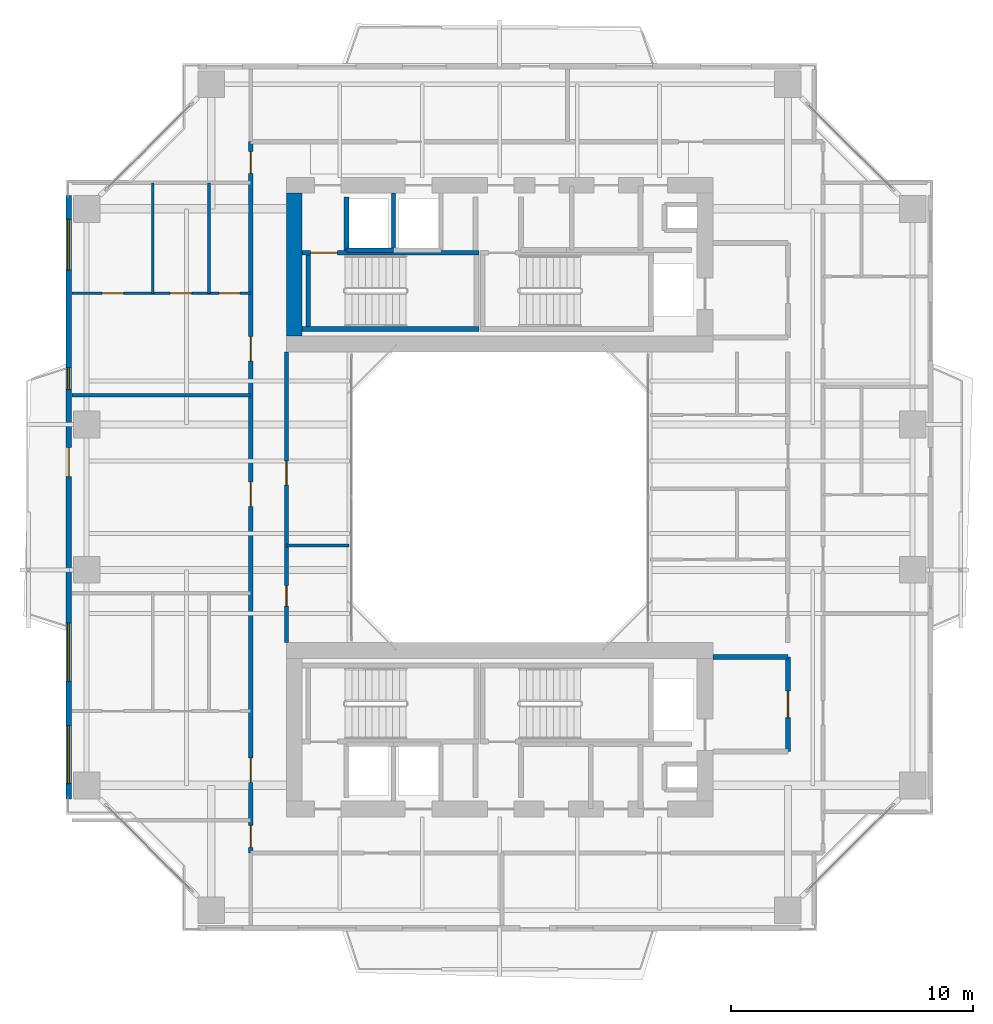
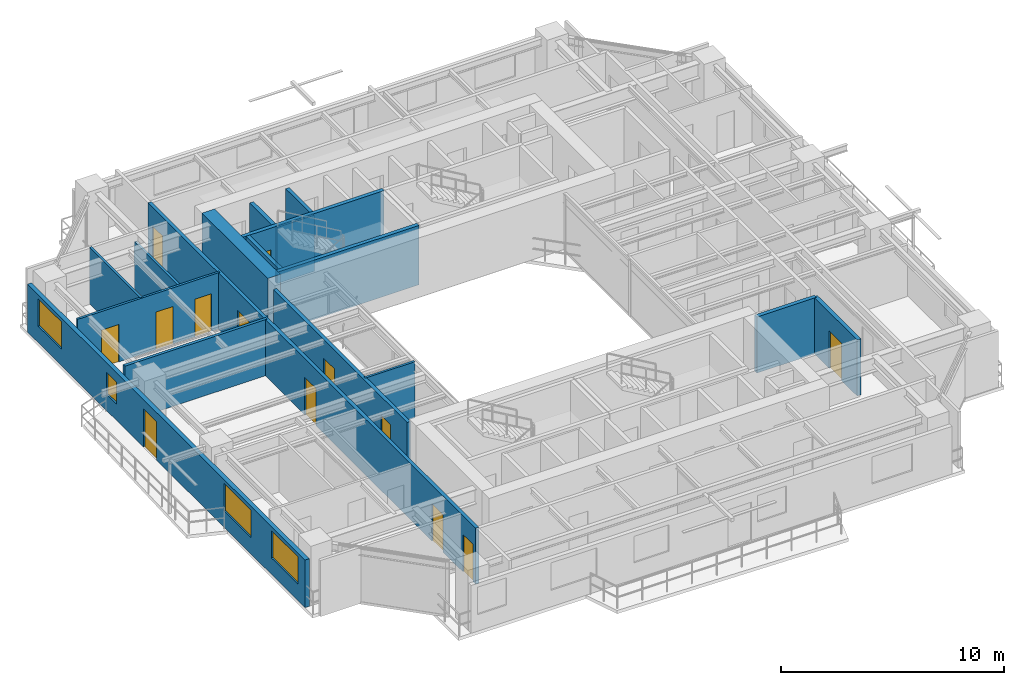
# One storey, part 11 of 17: 17 walls, 13 doors, 4 windows, 17 openings.
"""IFC4 building model written with IfcOpenShell, lengths in metres."""

from ifc_helpers import new_model, si_unit, direction, frame, frame_2d, origin, place, context, subcontext, project, spatial, rectangle, extrude, source, transform, mapped, material, layer, layer_set, type_object, element, fill, save


model = new_model("IFC4")

# Units and contexts
model_context = context("Model", 3, precision=1e-05, world=origin(), true_north=direction((0.0, 1.0)))
body_context = subcontext(model_context, "Body", "Model", "MODEL_VIEW")
ifc_project = project(units=[si_unit("LENGTHUNIT", "METRE"), si_unit("AREAUNIT", "SQUARE_METRE"), si_unit("VOLUMEUNIT", "CUBIC_METRE"), si_unit("PLANEANGLEUNIT", "RADIAN"), si_unit("MASSUNIT", "GRAM", prefix="KILO"), si_unit("THERMODYNAMICTEMPERATUREUNIT", "KELVIN"), si_unit("POWERUNIT", "WATT")], contexts=[model_context])

# Site, building, storey
site_placement = place(None, origin())
site = spatial("IfcSite", under=ifc_project, at=site_placement, CompositionType="ELEMENT")
building_placement = place(site_placement, origin())
building = spatial("IfcBuilding", under=site, at=building_placement, Name="Qiaomeng Ring Towers", CompositionType="ELEMENT")
storey_placement = place(building_placement, frame((0.0, 0.0, 129.5)))
storey = spatial("IfcBuildingStorey", under=building, at=storey_placement, Name="L37", CompositionType="ELEMENT", Elevation=129.5)

# Wall, openings, windows, door
ifc_material_1 = material(Name="Precast concrete C40", Category="concrete")
ifc_layer_1 = layer(ifc_material_1, 0.219970703125, Name="Precast concrete C40")
ifc_layer_set_1 = layer_set([ifc_layer_1], Name="Precast concrete C40")
wall_type_1 = type_object("IfcWallType", Name="ARC-WL-EW2", PredefinedType="STANDARD", material=ifc_layer_set_1)
wall_1_placement = place(storey_placement, frame((1.2099609375, 10.550048828125, 0.0), z_axis=(0.0, 0.0, 1.0), x_axis=(0.0, 1.0, 0.0)))
wall_1 = element("IfcWall", 1, at=wall_1_placement, inside=storey, type_object=wall_type_1, Name="L37 Tower 1 W Exterior Wall", PredefinedType="STANDARD", context=body_context, shape_type="SweptSolid", body=[
    extrude(rectangle(XDim=24.89990234375, YDim=0.219970703125, at=frame_2d((12.449951171875, 0.0))), origin(), (0.0, 0.0, 1.0), 2.610107421875),
])
opening_1_placement = place(wall_1_placement, frame((13.300048828125, 0.0, 0.0)))
opening_1 = element("IfcOpeningElement", 2, at=opening_1_placement, cuts=wall_1, Name="Opening BD1", PredefinedType="OPENING", context=body_context, shape_type="SweptSolid", body=[
    extrude(rectangle(XDim=1.199951171875, YDim=2.10009765625, at=frame_2d((0.60009765625, 1.050048828125))), frame((0.0, 0.119873046875, 0.0), z_axis=(0.0, -1.0, 0.0), x_axis=(1.0, 0.0, 0.0)), (0.0, 0.0, 1.0), 0.239990234375),
])
opening_2_placement = place(wall_1_placement, frame((0.625, 0.0, 0.89990234375)))
opening_2 = element("IfcOpeningElement", 3, at=opening_2_placement, cuts=wall_1, Name="Opening WN6", PredefinedType="OPENING", context=body_context, shape_type="SweptSolid", body=[
    extrude(rectangle(XDim=2.39990234375, YDim=1.5, at=frame_2d((1.199951171875, 0.75))), frame((0.0, 0.119873046875, 0.0), z_axis=(0.0, -1.0, 0.0), x_axis=(1.0, 0.0, 0.0)), (0.0, 0.0, 1.0), 0.239990234375),
])
opening_3_placement = place(wall_1_placement, frame((21.820068359375, 0.0, 0.89990234375)))
opening_3 = element("IfcOpeningElement", 4, at=opening_3_placement, cuts=wall_1, Name="Opening WN4", PredefinedType="OPENING", context=body_context, shape_type="SweptSolid", body=[
    extrude(rectangle(XDim=2.10009765625, YDim=1.5, at=frame_2d((1.050048828125, 0.75))), frame((0.0, 0.119873046875, 0.0), z_axis=(0.0, -1.0, 0.0), x_axis=(1.0, 0.0, 0.0)), (0.0, 0.0, 1.0), 0.239990234375),
])
opening_4_placement = place(wall_1_placement, frame((4.847412109375, 0.0, 0.89990234375)))
opening_4 = element("IfcOpeningElement", 5, at=opening_4_placement, cuts=wall_1, Name="Opening WN6", PredefinedType="OPENING", context=body_context, shape_type="SweptSolid", body=[
    extrude(rectangle(XDim=2.39990234375, YDim=1.5, at=frame_2d((1.199951171875, 0.75))), frame((0.0, 0.119873046875, 0.0), z_axis=(0.0, -1.0, 0.0), x_axis=(1.0, 0.0, 0.0)), (0.0, 0.0, 1.0), 0.239990234375),
])
opening_5_placement = place(wall_1_placement, frame((16.89501953125, 0.0, 0.89990234375)))
opening_5 = element("IfcOpeningElement", 6, at=opening_5_placement, cuts=wall_1, Name="Opening WN5", PredefinedType="OPENING", context=body_context, shape_type="SweptSolid", body=[
    extrude(rectangle(XDim=0.89990234375, YDim=1.199951171875, at=frame_2d((0.449951171875, 0.60009765625))), frame((0.0, 0.119873046875, 0.0), z_axis=(0.0, -1.0, 0.0), x_axis=(1.0, 0.0, 0.0)), (0.0, 0.0, 1.0), 0.239990234375),
])
ifc_material_2 = material(Name="Low-E dark-grey laminated double glazing", Category="glass")
window_type_1 = type_object("IfcWindowType", Name="ARC-WN-4", PartitioningType="TRIPLE_PANEL_VERTICAL", PredefinedType="WINDOW", material=ifc_material_2)
shared_shape_1 = source(origin(), body_context, "Body", "SweptSolid", [
    extrude(rectangle(XDim=2.10009765625, YDim=1.5, at=frame_2d((1.050048828125, 0.75))), frame((0.0, 0.030029296875, 0.0), z_axis=(0.0, -1.0, 0.0), x_axis=(1.0, 0.0, 0.0)), (0.0, 0.0, 1.0), 0.06005859375),
])
window_1_placement = place(opening_3_placement, origin())
window_1 = element("IfcWindow", 7, at=window_1_placement, inside=storey, type_object=window_type_1, Name="L37 Exterior Window WN4", OverallHeight=1.5, OverallWidth=2.10009765625, PartitioningType="TRIPLE_PANEL_VERTICAL", PredefinedType="WINDOW", context=body_context, shape_type="MappedRepresentation", body=[
    mapped(shared_shape_1, transform((0.0, 0.0, 0.0), x_axis=(1.0, 0.0, 0.0), y_axis=(0.0, 1.0, 0.0), z_axis=(0.0, 0.0, 1.0), scale=1.0)),
])
fill(opening_3, window_1)
door_type_1 = type_object("IfcDoorType", Name="ARC-DR-BD1", OperationType="NOTDEFINED", PredefinedType="DOOR", material=ifc_material_2)
shared_shape_2 = source(origin(), body_context, "Body", "SweptSolid", [
    extrude(rectangle(XDim=1.199951171875, YDim=2.10009765625, at=frame_2d((0.60009765625, 1.050048828125))), frame((0.0, 0.02490234375, 0.0), z_axis=(0.0, -1.0, 0.0), x_axis=(1.0, 0.0, 0.0)), (0.0, 0.0, 1.0), 0.050048828125),
])
door_1_placement = place(opening_1_placement, frame((1.199951171875, 0.0, 0.0), z_axis=(0.0, 0.0, 1.0), x_axis=(-1.0, 0.0, 0.0)))
door_1 = element("IfcDoor", 8, at=door_1_placement, inside=storey, type_object=door_type_1, Name="L37 W Balcony Glazed Door", OperationType="SINGLE_SWING_LEFT", OverallHeight=2.10009765625, OverallWidth=1.199951171875, PredefinedType="DOOR", context=body_context, shape_type="MappedRepresentation", body=[
    mapped(shared_shape_2, transform((0.0, 0.0, 0.0), x_axis=(1.0, 0.0, 0.0), y_axis=(0.0, 1.0, 0.0), z_axis=(0.0, 0.0, 1.0), scale=1.0)),
])
fill(opening_1, door_1)
window_type_2 = type_object("IfcWindowType", Name="ARC-WN-6", PartitioningType="TRIPLE_PANEL_VERTICAL", PredefinedType="WINDOW", material=ifc_material_2)
shared_shape_3 = source(origin(), body_context, "Body", "SweptSolid", [
    extrude(rectangle(XDim=2.39990234375, YDim=1.5, at=frame_2d((1.199951171875, 0.75))), frame((0.0, 0.030029296875, 0.0), z_axis=(0.0, -1.0, 0.0), x_axis=(1.0, 0.0, 0.0)), (0.0, 0.0, 1.0), 0.06005859375),
])
window_2_placement = place(opening_2_placement, origin())
window_2 = element("IfcWindow", 9, at=window_2_placement, inside=storey, type_object=window_type_2, Name="L37 Exterior Window WN6", OverallHeight=1.5, OverallWidth=2.39990234375, PartitioningType="TRIPLE_PANEL_VERTICAL", PredefinedType="WINDOW", context=body_context, shape_type="MappedRepresentation", body=[
    mapped(shared_shape_3, transform((0.0, 0.0, 0.0), x_axis=(1.0, 0.0, 0.0), y_axis=(0.0, 1.0, 0.0), z_axis=(0.0, 0.0, 1.0), scale=1.0)),
])
fill(opening_2, window_2)
window_3_placement = place(opening_4_placement, origin())
window_3 = element("IfcWindow", 10, at=window_3_placement, inside=storey, type_object=window_type_2, Name="L37 Exterior Window WN6", OverallHeight=1.5, OverallWidth=2.39990234375, PartitioningType="TRIPLE_PANEL_VERTICAL", PredefinedType="WINDOW", context=body_context, shape_type="MappedRepresentation", body=[
    mapped(shared_shape_3, transform((0.0, 0.0, 0.0), x_axis=(1.0, 0.0, 0.0), y_axis=(0.0, 1.0, 0.0), z_axis=(0.0, 0.0, 1.0), scale=1.0)),
])
fill(opening_4, window_3)
window_type_3 = type_object("IfcWindowType", Name="ARC-WN-5", PartitioningType="SINGLE_PANEL", PredefinedType="WINDOW", material=ifc_material_2)
shared_shape_4 = source(origin(), body_context, "Body", "SweptSolid", [
    extrude(rectangle(XDim=0.89990234375, YDim=1.199951171875, at=frame_2d((0.449951171875, 0.60009765625))), frame((0.0, 0.030029296875, 0.0), z_axis=(0.0, -1.0, 0.0), x_axis=(1.0, 0.0, 0.0)), (0.0, 0.0, 1.0), 0.06005859375),
])
window_4_placement = place(opening_5_placement, origin())
window_4 = element("IfcWindow", 11, at=window_4_placement, inside=storey, type_object=window_type_3, Name="L37 Exterior Window WN5", OverallHeight=1.199951171875, OverallWidth=0.89990234375, PartitioningType="SINGLE_PANEL", PredefinedType="WINDOW", context=body_context, shape_type="MappedRepresentation", body=[
    mapped(shared_shape_4, transform((0.0, 0.0, 0.0), x_axis=(1.0, 0.0, 0.0), y_axis=(0.0, 1.0, 0.0), z_axis=(0.0, 0.0, 1.0), scale=1.0)),
])
fill(opening_5, window_4)

# Wall
ifc_material_3 = material(Name="Autoclaved aerated concrete block", Category="concrete")
ifc_layer_2 = layer(ifc_material_3, 0.199951171875, Name="Autoclaved aerated concrete block")
ifc_layer_set_2 = layer_set([ifc_layer_2], Name="Autoclaved aerated concrete block")
wall_type_2 = type_object("IfcWallType", Name="ARC-WL-PW1", PredefinedType="PARTITIONING", material=ifc_layer_set_2)
wall_2_placement = place(storey_placement, frame((27.800048828125, 16.39990234375, 0.0), z_axis=(0.0, 0.0, 1.0), x_axis=(1.0, 0.0, 0.0)))
element("IfcWall", 12, at=wall_2_placement, inside=storey, type_object=wall_type_2, Name="L37 Interior Wall PW1", PredefinedType="PARTITIONING", context=body_context, shape_type="SweptSolid", body=[
    extrude(rectangle(XDim=3.099853515625, YDim=0.199951171875, at=frame_2d((1.5498046875, 0.0))), origin(), (0.0, 0.0, 1.0), 3.070068359375),
])

# Wall, opening, door
wall_3_placement = place(storey_placement, frame((30.89990234375, 12.5, 0.0), z_axis=(0.0, 0.0, 1.0), x_axis=(0.0, 1.0, 0.0)))
wall_3 = element("IfcWall", 13, at=wall_3_placement, inside=storey, type_object=wall_type_2, Name="L37 Interior Wall PW1", PredefinedType="PARTITIONING", context=body_context, shape_type="SweptSolid", body=[
    extrude(rectangle(XDim=3.89990234375, YDim=0.199951171875, at=frame_2d((1.949951171875, 0.0))), origin(), (0.0, 0.0, 1.0), 3.070068359375),
])
opening_6_placement = place(wall_3_placement, frame((1.39990234375, 0.0, 0.0)))
opening_6 = element("IfcOpeningElement", 14, at=opening_6_placement, cuts=wall_3, Name="Opening FD3", PredefinedType="OPENING", context=body_context, shape_type="SweptSolid", body=[
    extrude(rectangle(XDim=1.10009765625, YDim=2.050048828125, at=frame_2d((0.550048828125, 1.02490234375))), frame((0.0, 0.10986328125, 0.0), z_axis=(0.0, -1.0, 0.0), x_axis=(1.0, 0.0, 0.0)), (0.0, 0.0, 1.0), 0.219970703125),
])
ifc_material_4 = material(Name="Galvanised steel", Category="steel")
door_type_2 = type_object("IfcDoorType", Name="ARC-DR-FD3", OperationType="NOTDEFINED", PredefinedType="DOOR", material=ifc_material_4)
shared_shape_5 = source(origin(), body_context, "Body", "SweptSolid", [
    extrude(rectangle(XDim=1.10009765625, YDim=2.050048828125, at=frame_2d((0.550048828125, 1.02490234375))), frame((0.0, 0.02490234375, 0.0), z_axis=(0.0, -1.0, 0.0), x_axis=(1.0, 0.0, 0.0)), (0.0, 0.0, 1.0), 0.050048828125),
])
door_2_placement = place(opening_6_placement, origin())
door_2 = element("IfcDoor", 15, at=door_2_placement, inside=storey, type_object=door_type_2, Name="L37 South FF Lobby Door", OperationType="SINGLE_SWING_RIGHT", OverallHeight=2.050048828125, OverallWidth=1.10009765625, PredefinedType="DOOR", context=body_context, shape_type="MappedRepresentation", body=[
    mapped(shared_shape_5, transform((0.0, 0.0, 0.0), x_axis=(1.0, 0.0, 0.0), y_axis=(0.0, 1.0, 0.0), z_axis=(0.0, 0.0, 1.0), scale=1.0)),
])
fill(opening_6, door_2)

# Wall
wall_4_placement = place(storey_placement, frame((12.679931640625, 33.18994140625, 0.0), z_axis=(0.0, 0.0, 1.0), x_axis=(0.0, 1.0, 0.0)))
element("IfcWall", 16, at=wall_4_placement, inside=storey, type_object=wall_type_2, Name="L37 Interior Wall PW1", PredefinedType="PARTITIONING", context=body_context, shape_type="SweptSolid", body=[
    extrude(rectangle(XDim=2.2099609375, YDim=0.199951171875, at=frame_2d((1.10498046875, 0.0))), origin(), (0.0, 0.0, 1.0), 3.070068359375),
])

# Wall, openings, doors
ifc_layer_3 = layer(ifc_material_3, 0.179931640625, Name="Autoclaved aerated concrete block")
ifc_layer_set_3 = layer_set([ifc_layer_3], Name="Autoclaved aerated concrete block")
wall_type_3 = type_object("IfcWallType", Name="ARC-WL-PW2", PredefinedType="PARTITIONING", material=ifc_layer_set_3)
wall_5_placement = place(storey_placement, frame((8.719970703125, 8.31005859375, 0.0), z_axis=(0.0, 0.0, 1.0), x_axis=(0.0, 1.0, 0.0)))
wall_5 = element("IfcWall", 17, at=wall_5_placement, inside=storey, type_object=wall_type_3, Name="L37 Interior Wall PW2", PredefinedType="PARTITIONING", context=body_context, shape_type="SweptSolid", body=[
    extrude(rectangle(XDim=29.369873046875, YDim=0.179931640625, at=frame_2d((14.68505859375, 0.0))), origin(), (0.0, 0.0, 1.0), 3.070068359375),
])
opening_7_placement = place(wall_5_placement, frame((28.06005859375, 0.0, 0.0)))
opening_7 = element("IfcOpeningElement", 18, at=opening_7_placement, cuts=wall_5, Name="Opening ID1", PredefinedType="OPENING", context=body_context, shape_type="SweptSolid", body=[
    extrude(rectangle(XDim=0.89990234375, YDim=2.050048828125, at=frame_2d((0.449951171875, 1.02490234375))), frame((0.0, 0.099853515625, 0.0), z_axis=(0.0, -1.0, 0.0), x_axis=(1.0, 0.0, 0.0)), (0.0, 0.0, 1.0), 0.199951171875),
])
opening_8_placement = place(wall_5_placement, frame((0.239990234375, 0.0, 0.0)))
opening_8 = element("IfcOpeningElement", 19, at=opening_8_placement, cuts=wall_5, Name="Opening ID1", PredefinedType="OPENING", context=body_context, shape_type="SweptSolid", body=[
    extrude(rectangle(XDim=0.89990234375, YDim=2.050048828125, at=frame_2d((0.449951171875, 1.02490234375))), frame((0.0, 0.099853515625, 0.0), z_axis=(0.0, -1.0, 0.0), x_axis=(1.0, 0.0, 0.0)), (0.0, 0.0, 1.0), 0.199951171875),
])
opening_9_placement = place(wall_5_placement, frame((2.919921875, 0.0, 0.0)))
opening_9 = element("IfcOpeningElement", 20, at=opening_9_placement, cuts=wall_5, Name="Opening FD4", PredefinedType="OPENING", context=body_context, shape_type="SweptSolid", body=[
    extrude(rectangle(XDim=1.0, YDim=2.050048828125, at=frame_2d((0.5, 1.02490234375))), frame((0.0, 0.099853515625, 0.0), z_axis=(0.0, -1.0, 0.0), x_axis=(1.0, 0.0, 0.0)), (0.0, 0.0, 1.0), 0.199951171875),
])
opening_10_placement = place(wall_5_placement, frame((14.31494140625, 0.0, 0.0)))
opening_10 = element("IfcOpeningElement", 21, at=opening_10_placement, cuts=wall_5, Name="Opening FD4", PredefinedType="OPENING", context=body_context, shape_type="SweptSolid", body=[
    extrude(rectangle(XDim=1.0, YDim=2.050048828125, at=frame_2d((0.5, 1.02490234375))), frame((0.0, 0.099853515625, 0.0), z_axis=(0.0, -1.0, 0.0), x_axis=(1.0, 0.0, 0.0)), (0.0, 0.0, 1.0), 0.199951171875),
])
opening_11_placement = place(wall_5_placement, frame((20.31494140625, 0.0, 0.0)))
opening_11 = element("IfcOpeningElement", 22, at=opening_11_placement, cuts=wall_5, Name="Opening FD4", PredefinedType="OPENING", context=body_context, shape_type="SweptSolid", body=[
    extrude(rectangle(XDim=1.0, YDim=2.050048828125, at=frame_2d((0.5, 1.02490234375))), frame((0.0, 0.099853515625, 0.0), z_axis=(0.0, -1.0, 0.0), x_axis=(1.0, 0.0, 0.0)), (0.0, 0.0, 1.0), 0.199951171875),
])
ifc_material_5 = material(Name="Engineered fire-rated oak timber", Category="wood")
door_type_3 = type_object("IfcDoorType", Name="ARC-DR-FD4", OperationType="NOTDEFINED", PredefinedType="DOOR", material=ifc_material_5)
shared_shape_6 = source(origin(), body_context, "Body", "SweptSolid", [
    extrude(rectangle(XDim=1.0, YDim=2.050048828125, at=frame_2d((0.5, 1.02490234375))), frame((0.0, 0.02490234375, 0.0), z_axis=(0.0, -1.0, 0.0), x_axis=(1.0, 0.0, 0.0)), (0.0, 0.0, 1.0), 0.050048828125),
])
door_3_placement = place(opening_9_placement, origin())
door_3 = element("IfcDoor", 23, at=door_3_placement, inside=storey, type_object=door_type_3, Name="L37 Door FD4", OperationType="SINGLE_SWING_RIGHT", OverallHeight=2.050048828125, OverallWidth=1.0, PredefinedType="DOOR", context=body_context, shape_type="MappedRepresentation", body=[
    mapped(shared_shape_6, transform((0.0, 0.0, 0.0), x_axis=(1.0, 0.0, 0.0), y_axis=(0.0, 1.0, 0.0), z_axis=(0.0, 0.0, 1.0), scale=1.0)),
])
fill(opening_9, door_3)
door_4_placement = place(opening_10_placement, origin())
door_4 = element("IfcDoor", 24, at=door_4_placement, inside=storey, type_object=door_type_3, Name="L37 Door FD4", OperationType="SINGLE_SWING_LEFT", OverallHeight=2.050048828125, OverallWidth=1.0, PredefinedType="DOOR", context=body_context, shape_type="MappedRepresentation", body=[
    mapped(shared_shape_6, transform((0.0, 0.0, 0.0), x_axis=(1.0, 0.0, 0.0), y_axis=(0.0, 1.0, 0.0), z_axis=(0.0, 0.0, 1.0), scale=1.0)),
])
fill(opening_10, door_4)
door_5_placement = place(opening_11_placement, origin())
door_5 = element("IfcDoor", 25, at=door_5_placement, inside=storey, type_object=door_type_3, Name="L37 Door FD4", OperationType="SINGLE_SWING_LEFT", OverallHeight=2.050048828125, OverallWidth=1.0, PredefinedType="DOOR", context=body_context, shape_type="MappedRepresentation", body=[
    mapped(shared_shape_6, transform((0.0, 0.0, 0.0), x_axis=(1.0, 0.0, 0.0), y_axis=(0.0, 1.0, 0.0), z_axis=(0.0, 0.0, 1.0), scale=1.0)),
])
fill(opening_11, door_5)
ifc_material_6 = material(Name="Engineered oak timber", Category="wood")
door_type_4 = type_object("IfcDoorType", Name="ARC-DR-ID1", OperationType="NOTDEFINED", PredefinedType="DOOR", material=ifc_material_6)
shared_shape_7 = source(origin(), body_context, "Body", "SweptSolid", [
    extrude(rectangle(XDim=0.89990234375, YDim=2.050048828125, at=frame_2d((0.449951171875, 1.02490234375))), frame((0.0, 0.02490234375, 0.0), z_axis=(0.0, -1.0, 0.0), x_axis=(1.0, 0.0, 0.0)), (0.0, 0.0, 1.0), 0.050048828125),
])
door_6_placement = place(opening_7_placement, origin())
door_6 = element("IfcDoor", 26, at=door_6_placement, inside=storey, type_object=door_type_4, Name="L37 Door ID1", OperationType="SINGLE_SWING_LEFT", OverallHeight=2.050048828125, OverallWidth=0.89990234375, PredefinedType="DOOR", context=body_context, shape_type="MappedRepresentation", body=[
    mapped(shared_shape_7, transform((0.0, 0.0, 0.0), x_axis=(1.0, 0.0, 0.0), y_axis=(0.0, 1.0, 0.0), z_axis=(0.0, 0.0, 1.0), scale=1.0)),
])
fill(opening_7, door_6)
door_7_placement = place(opening_8_placement, origin())
door_7 = element("IfcDoor", 27, at=door_7_placement, inside=storey, type_object=door_type_4, Name="L37 Door ID1", OperationType="SINGLE_SWING_RIGHT", OverallHeight=2.050048828125, OverallWidth=0.89990234375, PredefinedType="DOOR", context=body_context, shape_type="MappedRepresentation", body=[
    mapped(shared_shape_7, transform((0.0, 0.0, 0.0), x_axis=(1.0, 0.0, 0.0), y_axis=(0.0, 1.0, 0.0), z_axis=(0.0, 0.0, 1.0), scale=1.0)),
])
fill(opening_8, door_7)

wall_6_placement = place(storey_placement, frame((10.199951171875, 17.0, 0.0), z_axis=(0.0, 0.0, 1.0), x_axis=(0.0, 1.0, 0.0)))
wall_6 = element("IfcWall", 28, at=wall_6_placement, inside=storey, type_object=wall_type_3, Name="L37 Interior Wall PW2", PredefinedType="PARTITIONING", context=body_context, shape_type="SweptSolid", body=[
    extrude(rectangle(XDim=12.0, YDim=0.179931640625, at=frame_2d((6.0, 0.0))), origin(), (0.0, 0.0, 1.0), 3.070068359375),
])
opening_12_placement = place(wall_6_placement, frame((1.5, 0.0, 0.0)))
opening_12 = element("IfcOpeningElement", 29, at=opening_12_placement, cuts=wall_6, Name="Opening ID2", PredefinedType="OPENING", context=body_context, shape_type="SweptSolid", body=[
    extrude(rectangle(XDim=0.85009765625, YDim=2.050048828125, at=frame_2d((0.425048828125, 1.02490234375))), frame((0.0, 0.099853515625, 0.0), z_axis=(0.0, -1.0, 0.0), x_axis=(1.0, 0.0, 0.0)), (0.0, 0.0, 1.0), 0.199951171875),
])
opening_13_placement = place(wall_6_placement, frame((6.5, 0.0, 0.0)))
opening_13 = element("IfcOpeningElement", 30, at=opening_13_placement, cuts=wall_6, Name="Opening FD4", PredefinedType="OPENING", context=body_context, shape_type="SweptSolid", body=[
    extrude(rectangle(XDim=1.0, YDim=2.050048828125, at=frame_2d((0.5, 1.02490234375))), frame((0.0, 0.099853515625, 0.0), z_axis=(0.0, -1.0, 0.0), x_axis=(1.0, 0.0, 0.0)), (0.0, 0.0, 1.0), 0.199951171875),
])
door_8_placement = place(opening_13_placement, origin())
door_8 = element("IfcDoor", 31, at=door_8_placement, inside=storey, type_object=door_type_3, Name="L37 Door FD4", OperationType="SINGLE_SWING_LEFT", OverallHeight=2.050048828125, OverallWidth=1.0, PredefinedType="DOOR", context=body_context, shape_type="MappedRepresentation", body=[
    mapped(shared_shape_6, transform((0.0, 0.0, 0.0), x_axis=(1.0, 0.0, 0.0), y_axis=(0.0, 1.0, 0.0), z_axis=(0.0, 0.0, 1.0), scale=1.0)),
])
fill(opening_13, door_8)
ifc_material_7 = material(Name="Moisture-resistant engineered timber", Category="wood")
door_type_5 = type_object("IfcDoorType", Name="ARC-DR-ID2", OperationType="NOTDEFINED", PredefinedType="DOOR", material=ifc_material_7)
shared_shape_8 = source(origin(), body_context, "Body", "SweptSolid", [
    extrude(rectangle(XDim=0.85009765625, YDim=2.050048828125, at=frame_2d((0.425048828125, 1.02490234375))), frame((0.0, 0.02490234375, 0.0), z_axis=(0.0, -1.0, 0.0), x_axis=(1.0, 0.0, 0.0)), (0.0, 0.0, 1.0), 0.050048828125),
])
door_9_placement = place(opening_12_placement, origin())
door_9 = element("IfcDoor", 32, at=door_9_placement, inside=storey, type_object=door_type_5, Name="L37 Door ID2", OperationType="SINGLE_SWING_RIGHT", OverallHeight=2.050048828125, OverallWidth=0.85009765625, PredefinedType="DOOR", context=body_context, shape_type="MappedRepresentation", body=[
    mapped(shared_shape_8, transform((0.0, 0.0, 0.0), x_axis=(1.0, 0.0, 0.0), y_axis=(0.0, 1.0, 0.0), z_axis=(0.0, 0.0, 1.0), scale=1.0)),
])
fill(opening_12, door_9)

# Wall
ifc_material_8 = material(Name="Gypsum fireboard steel-stud partition", Category="steel")
ifc_layer_4 = layer(ifc_material_8, 0.14990234375, Name="Gypsum fireboard steel-stud partition")
ifc_layer_set_4 = layer_set([ifc_layer_4], Name="Gypsum fireboard steel-stud partition")
wall_type_4 = type_object("IfcWallType", Name="ARC-WL-PW3", PredefinedType="PARTITIONING", material=ifc_layer_set_4)
wall_7_placement = place(storey_placement, frame((1.35009765625, 27.2099609375, 0.0), z_axis=(0.0, 0.0, 1.0), x_axis=(1.0, 0.0, 0.0)))
element("IfcWall", 33, at=wall_7_placement, inside=storey, type_object=wall_type_4, Name="L37 Interior Wall PW3", PredefinedType="PARTITIONING", context=body_context, shape_type="SweptSolid", body=[
    extrude(rectangle(XDim=7.369873046875, YDim=0.14990234375, at=frame_2d((3.68505859375, 0.0))), origin(), (0.0, 0.0, 1.0), 3.070068359375),
])

# Wall, openings, doors
ifc_material_9 = material(Name="Moisture-resistant gypsum steel-stud partition", Category="steel")
ifc_layer_5 = layer(ifc_material_9, 0.1201171875, Name="Moisture-resistant gypsum steel-stud partition")
ifc_layer_set_5 = layer_set([ifc_layer_5], Name="Moisture-resistant gypsum steel-stud partition")
wall_type_5 = type_object("IfcWallType", Name="ARC-WL-PW4", PredefinedType="PLUMBINGWALL", material=ifc_layer_set_5)
wall_8_placement = place(storey_placement, frame((1.35009765625, 31.419921875, 0.0), z_axis=(0.0, 0.0, 1.0), x_axis=(1.0, 0.0, 0.0)))
wall_8 = element("IfcWall", 34, at=wall_8_placement, inside=storey, type_object=wall_type_5, Name="L37 Interior Wall PW4", PredefinedType="PLUMBINGWALL", context=body_context, shape_type="SweptSolid", body=[
    extrude(rectangle(XDim=7.369873046875, YDim=0.1201171875, at=frame_2d((3.68505859375, 0.0))), origin(), (0.0, 0.0, 1.0), 3.070068359375),
])
opening_14_placement = place(wall_8_placement, frame((1.22509765625, 0.0, 0.0)))
opening_14 = element("IfcOpeningElement", 35, at=opening_14_placement, cuts=wall_8, Name="Opening ID1", PredefinedType="OPENING", context=body_context, shape_type="SweptSolid", body=[
    extrude(rectangle(XDim=0.89990234375, YDim=2.050048828125, at=frame_2d((0.449951171875, 1.02490234375))), frame((0.0, 0.070068359375, 0.0), z_axis=(0.0, -1.0, 0.0), x_axis=(1.0, 0.0, 0.0)), (0.0, 0.0, 1.0), 0.14013671875),
])
opening_15_placement = place(wall_8_placement, frame((4.0400390625, 0.0, 0.0)))
opening_15 = element("IfcOpeningElement", 36, at=opening_15_placement, cuts=wall_8, Name="Opening ID1", PredefinedType="OPENING", context=body_context, shape_type="SweptSolid", body=[
    extrude(rectangle(XDim=0.89990234375, YDim=2.050048828125, at=frame_2d((0.449951171875, 1.02490234375))), frame((0.0, 0.070068359375, 0.0), z_axis=(0.0, -1.0, 0.0), x_axis=(1.0, 0.0, 0.0)), (0.0, 0.0, 1.0), 0.14013671875),
])
opening_16_placement = place(wall_8_placement, frame((6.074951171875, 0.0, 0.0)))
opening_16 = element("IfcOpeningElement", 37, at=opening_16_placement, cuts=wall_8, Name="Opening ID2", PredefinedType="OPENING", context=body_context, shape_type="SweptSolid", body=[
    extrude(rectangle(XDim=0.85009765625, YDim=2.050048828125, at=frame_2d((0.425048828125, 1.02490234375))), frame((0.0, 0.070068359375, 0.0), z_axis=(0.0, -1.0, 0.0), x_axis=(1.0, 0.0, 0.0)), (0.0, 0.0, 1.0), 0.14013671875),
])
door_10_placement = place(opening_16_placement, origin())
door_10 = element("IfcDoor", 38, at=door_10_placement, inside=storey, type_object=door_type_5, Name="L37 Door ID2", OperationType="SINGLE_SWING_RIGHT", OverallHeight=2.050048828125, OverallWidth=0.85009765625, PredefinedType="DOOR", context=body_context, shape_type="MappedRepresentation", body=[
    mapped(shared_shape_8, transform((0.0, 0.0, 0.0), x_axis=(1.0, 0.0, 0.0), y_axis=(0.0, 1.0, 0.0), z_axis=(0.0, 0.0, 1.0), scale=1.0)),
])
fill(opening_16, door_10)
door_11_placement = place(opening_14_placement, origin())
door_11 = element("IfcDoor", 39, at=door_11_placement, inside=storey, type_object=door_type_4, Name="L37 Door ID1", OperationType="SINGLE_SWING_RIGHT", OverallHeight=2.050048828125, OverallWidth=0.89990234375, PredefinedType="DOOR", context=body_context, shape_type="MappedRepresentation", body=[
    mapped(shared_shape_7, transform((0.0, 0.0, 0.0), x_axis=(1.0, 0.0, 0.0), y_axis=(0.0, 1.0, 0.0), z_axis=(0.0, 0.0, 1.0), scale=1.0)),
])
fill(opening_14, door_11)
door_12_placement = place(opening_15_placement, origin())
door_12 = element("IfcDoor", 40, at=door_12_placement, inside=storey, type_object=door_type_4, Name="L37 Door ID1", OperationType="SINGLE_SWING_LEFT", OverallHeight=2.050048828125, OverallWidth=0.89990234375, PredefinedType="DOOR", context=body_context, shape_type="MappedRepresentation", body=[
    mapped(shared_shape_7, transform((0.0, 0.0, 0.0), x_axis=(1.0, 0.0, 0.0), y_axis=(0.0, 1.0, 0.0), z_axis=(0.0, 0.0, 1.0), scale=1.0)),
])
fill(opening_15, door_12)

# Walls
wall_9_placement = place(storey_placement, frame((4.679931640625, 31.419921875, 0.0), z_axis=(0.0, 0.0, 1.0), x_axis=(0.0, 1.0, 0.0)))
element("IfcWall", 41, at=wall_9_placement, inside=storey, type_object=wall_type_5, Name="L37 Interior Wall PW4", PredefinedType="PLUMBINGWALL", context=body_context, shape_type="SweptSolid", body=[
    extrude(rectangle(XDim=4.56005859375, YDim=0.1201171875, at=frame_2d((2.280029296875, 0.0))), origin(), (0.0, 0.0, 1.0), 3.070068359375),
])
wall_10_placement = place(storey_placement, frame((7.0, 31.419921875, 0.0), z_axis=(0.0, 0.0, 1.0), x_axis=(0.0, 1.0, 0.0)))
element("IfcWall", 42, at=wall_10_placement, inside=storey, type_object=wall_type_5, Name="L37 Interior Wall PW4", PredefinedType="PLUMBINGWALL", context=body_context, shape_type="SweptSolid", body=[
    extrude(rectangle(XDim=4.56005859375, YDim=0.1201171875, at=frame_2d((2.280029296875, 0.0))), origin(), (0.0, 0.0, 1.0), 2.576904296875),
])
wall_11_placement = place(storey_placement, frame((10.199951171875, 21.0, 0.0), z_axis=(0.0, 0.0, 1.0), x_axis=(1.0, 0.0, 0.0)))
element("IfcWall", 43, at=wall_11_placement, inside=storey, type_object=wall_type_5, Name="L37 Interior Wall PW4", PredefinedType="PLUMBINGWALL", context=body_context, shape_type="SweptSolid", body=[
    extrude(rectangle(XDim=2.580078125, YDim=0.1201171875, at=frame_2d((1.2900390625, 0.0))), origin(), (0.0, 0.0, 1.0), 3.070068359375),
])
ifc_material_10 = material(Name="Concrete C40", Category="concrete")
ifc_layer_6 = layer(ifc_material_10, 0.199951171875, Name="Concrete C40")
ifc_layer_set_6 = layer_set([ifc_layer_6], Name="Concrete C40")
wall_type_6 = type_object("IfcWallType", Name="STR-WL-STSHAFT", PredefinedType="SHEAR", material=ifc_layer_set_6)
wall_12_placement = place(storey_placement, frame((12.679931640625, 33.199951171875, 0.0), z_axis=(0.0, 0.0, 1.0), x_axis=(1.0, 0.0, 0.0)))
element("IfcWall", 44, at=wall_12_placement, inside=storey, type_object=wall_type_6, Name="L37 Lift LP5 Shaft Back Wall", PredefinedType="SHEAR", context=body_context, shape_type="SweptSolid", body=[
    extrude(rectangle(XDim=1.940185546875, YDim=0.179931640625, at=frame_2d((0.97021484375, 0.0))), origin(), (0.0, 0.0, 1.0), 3.070068359375),
])
wall_13_placement = place(storey_placement, frame((14.6201171875, 33.199951171875, 0.0), z_axis=(0.0, 0.0, 1.0), x_axis=(0.0, 1.0, 0.0)))
element("IfcWall", 45, at=wall_13_placement, inside=storey, type_object=wall_type_6, Name="L37 Lift LP5-LP3 Shaft Divider Wall", PredefinedType="SHEAR", context=body_context, shape_type="SweptSolid", body=[
    extrude(rectangle(XDim=2.35009765625, YDim=0.179931640625, at=frame_2d((1.175048828125, 0.0))), origin(), (0.0, 0.0, 1.0), 3.070068359375),
])
wall_14_placement = place(storey_placement, frame((10.85009765625, 29.949951171875, 0.0), z_axis=(0.0, 0.0, 1.0), x_axis=(1.0, 0.0, 0.0)))
element("IfcWall", 46, at=wall_14_placement, inside=storey, type_object=wall_type_6, Name="L37 Stair ST1 South Shaft Shear Wall", PredefinedType="SHEAR", context=body_context, shape_type="SweptSolid", body=[
    extrude(rectangle(XDim=7.2998046875, YDim=0.199951171875, at=frame_2d((3.64990234375, 0.0))), origin(), (0.0, 0.0, 1.0), 3.25),
])

# Wall, opening, door
wall_15_placement = place(storey_placement, frame((10.85009765625, 33.090087890625, 0.0), z_axis=(0.0, 0.0, 1.0), x_axis=(1.0, 0.0, 0.0)))
wall_15 = element("IfcWall", 47, at=wall_15_placement, inside=storey, type_object=wall_type_6, Name="L37 Stair ST1 North Shaft Shear Wall", PredefinedType="SHEAR", context=body_context, shape_type="SweptSolid", body=[
    extrude(rectangle(XDim=7.2998046875, YDim=0.199951171875, at=frame_2d((3.64990234375, 0.0))), origin(), (0.0, 0.0, 1.0), 3.25),
])
opening_17_placement = place(wall_15_placement, frame((0.35009765625, 0.0, 0.0)))
opening_17 = element("IfcOpeningElement", 48, at=opening_17_placement, cuts=wall_15, Name="Opening FD3", PredefinedType="OPENING", context=body_context, shape_type="SweptSolid", body=[
    extrude(rectangle(XDim=1.10009765625, YDim=2.050048828125, at=frame_2d((0.550048828125, 1.02490234375))), frame((0.0, 0.10986328125, 0.0), z_axis=(0.0, -1.0, 0.0), x_axis=(1.0, 0.0, 0.0)), (0.0, 0.0, 1.0), 0.219970703125),
])
door_13_placement = place(opening_17_placement, origin())
door_13 = element("IfcDoor", 49, at=door_13_placement, inside=storey, type_object=door_type_2, Name="L37 Stair ST1 Exit Door", OperationType="SINGLE_SWING_RIGHT", OverallHeight=2.050048828125, OverallWidth=1.10009765625, PredefinedType="DOOR", context=body_context, shape_type="MappedRepresentation", body=[
    mapped(shared_shape_5, transform((0.0, 0.0, 0.0), x_axis=(1.0, 0.0, 0.0), y_axis=(0.0, 1.0, 0.0), z_axis=(0.0, 0.0, 1.0), scale=1.0)),
])
fill(opening_17, door_13)

# Walls
wall_16_placement = place(storey_placement, frame((11.10009765625, 30.050048828125, 0.0), z_axis=(0.0, 0.0, 1.0), x_axis=(0.0, 1.0, 0.0)))
element("IfcWall", 50, at=wall_16_placement, inside=storey, type_object=wall_type_6, Name="L37 Stair ST1 West Shaft Shear Wall", PredefinedType="SHEAR", context=body_context, shape_type="SweptSolid", body=[
    extrude(rectangle(XDim=2.93994140625, YDim=0.199951171875, at=frame_2d((1.469970703125, 0.0))), origin(), (0.0, 0.0, 1.0), 3.25),
])
ifc_material_11 = material(Name="Concrete C55", Category="concrete")
ifc_layer_7 = layer(ifc_material_11, 0.64990234375, Name="Concrete C55")
ifc_layer_set_7 = layer_set([ifc_layer_7], Name="Concrete C55")
wall_type_7 = type_object("IfcWallType", Name="STR-WL-SW2A", PredefinedType="SHEAR", material=ifc_layer_set_7)
wall_17_placement = place(storey_placement, frame((10.52490234375, 29.64990234375, 0.0), z_axis=(0.0, 0.0, 1.0), x_axis=(0.0, 1.0, 0.0)))
element("IfcWall", 51, at=wall_17_placement, inside=storey, type_object=wall_type_7, Name="L37 T1NC west core shear wall", PredefinedType="SHEAR", context=body_context, shape_type="SweptSolid", body=[
    extrude(rectangle(XDim=5.900146484375, YDim=0.64990234375, at=frame_2d((2.9501953125, 0.0))), origin(), (0.0, 0.0, 1.0), 3.25),
])

save(model, "model.ifc")
